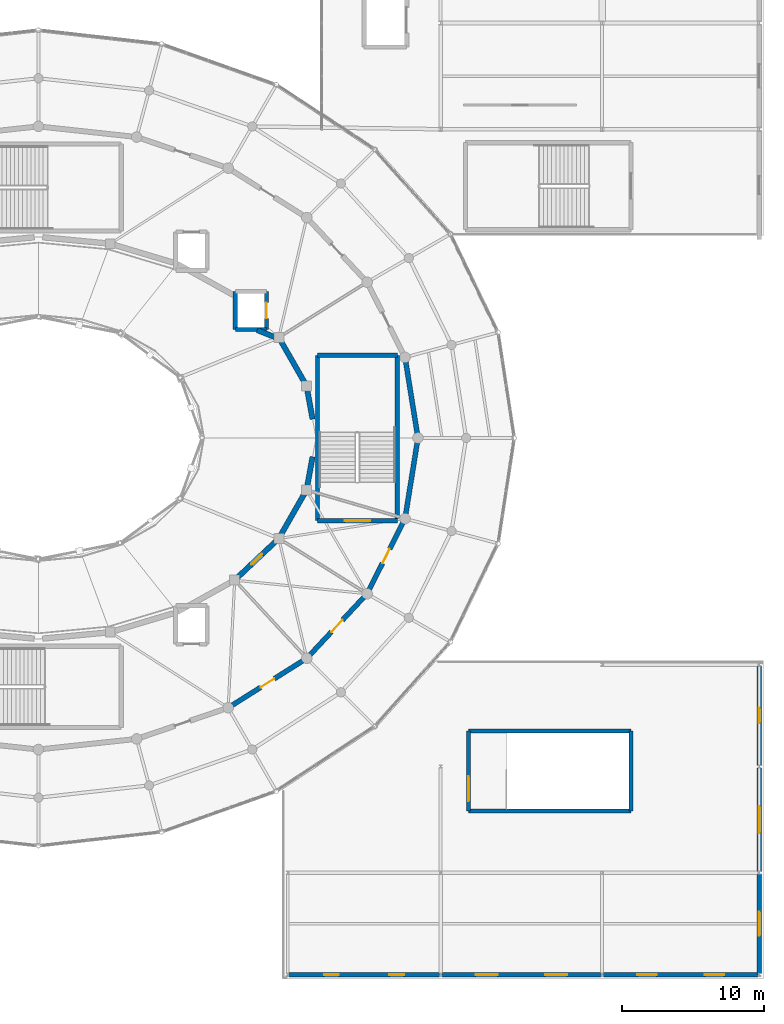
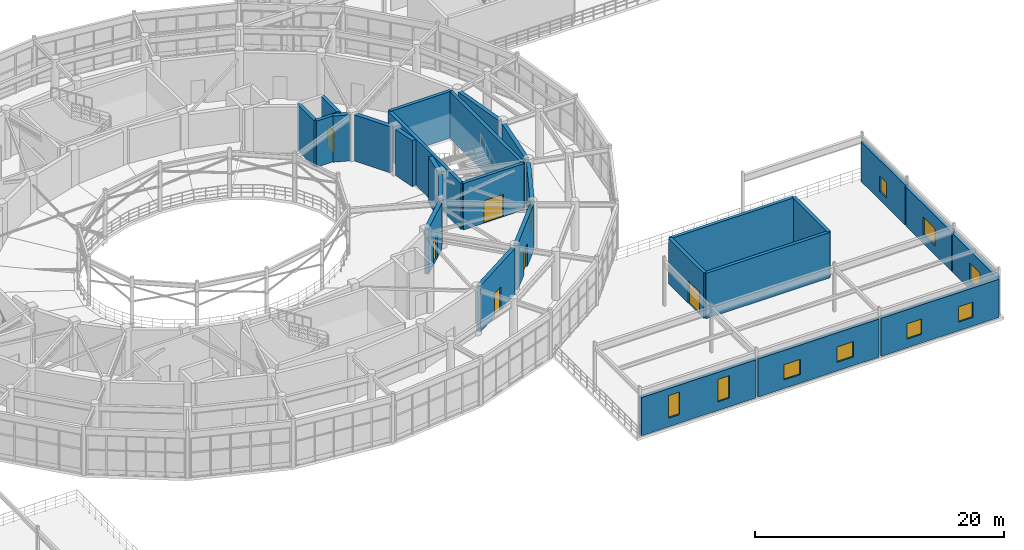
# One storey, part 111 of 144: 28 walls, 9 windows, 7 doors, 16 openings.
"""IFC4 building model written with IfcOpenShell, lengths in metres."""

from ifc_helpers import new_model, si_unit, direction, frame, frame_2d, origin, place, context, subcontext, project, spatial, rectangle, extrude, material, layer, layer_set, type_object, element, fill, save


model = new_model("IFC4")

# Units and contexts
model_context = context("Model", 3, precision=1e-05, world=origin(), true_north=direction((0.0, 1.0)))
body_context = subcontext(model_context, "Body", "Model", "MODEL_VIEW")
ifc_project = project(units=[si_unit("LENGTHUNIT", "METRE"), si_unit("AREAUNIT", "SQUARE_METRE"), si_unit("VOLUMEUNIT", "CUBIC_METRE"), si_unit("PLANEANGLEUNIT", "RADIAN"), si_unit("MASSUNIT", "GRAM", prefix="KILO")], contexts=[model_context])

# Site, building, storey
site_placement = place(None, origin())
site = spatial("IfcSite", under=ifc_project, at=site_placement, CompositionType="ELEMENT")
building_placement = place(site_placement, origin())
building = spatial("IfcBuilding", under=site, at=building_placement, Name="Cinderbank Siding Concert Hall", CompositionType="ELEMENT")
storey_placement = place(building_placement, frame((0.0, 0.0, 5.39990234375)))
storey = spatial("IfcBuildingStorey", under=building, at=storey_placement, Name="L02", CompositionType="ELEMENT", Elevation=5.39990234375)

# Walls
ifc_material_1 = material(Name="Reinforced concrete AS 3600 N50 (50 MPa)", Category="concrete")
ifc_layer_1 = layer(ifc_material_1, 0.3798828125)
ifc_layer_set_1 = layer_set([ifc_layer_1], Name="Reinforced concrete AS 3600 N50 (50 MPa)")
wall_type_1 = type_object("IfcWallType", Name="WL-01 Structural Wall 380mm", PredefinedType="SOLIDWALL", material=ifc_layer_set_1)
wall_1_placement = place(storey_placement, frame((141.358642578125, 45.328125, 0.0), z_axis=(0.0, 0.0, 1.0), x_axis=(-0.178762697271, 0.983892218723, 0.0)))
element("IfcWall", 1, at=wall_1_placement, inside=storey, type_object=wall_type_1, Name="L02 Structural Wall SW-E1-L02-01", PredefinedType="SOLIDWALL", context=body_context, shape_type="SweptSolid", body=[
    extrude(rectangle(XDim=2.1005859375, YDim=0.3798828125, at=frame_2d((1.05029296875, 0.0))), origin(), (0.0, 0.0, 1.0), 4.52001953125),
])
wall_2_placement = place(storey_placement, frame((140.79052734375, 47.922607421875, 0.0), z_axis=(0.0, 0.0, 1.0), x_axis=(-0.496318106012, 0.868140736082, 0.0)))
element("IfcWall", 2, at=wall_2_placement, inside=storey, type_object=wall_type_1, Name="L02 Structural Wall SW-E1-L02-02", PredefinedType="SOLIDWALL", context=body_context, shape_type="SweptSolid", body=[
    extrude(rectangle(XDim=3.375, YDim=0.3798828125, at=frame_2d((1.6875, 0.0))), origin(), (0.0, 0.0, 1.0), 4.52001953125),
])
wall_3_placement = place(storey_placement, frame((138.75, 51.10009765625, 0.0), z_axis=(0.0, 0.0, 1.0), x_axis=(-0.928476690885, 0.371390676354, 0.0)))
element("IfcWall", 3, at=wall_3_placement, inside=storey, type_object=wall_type_1, Name="L02 Structural Wall SW-E1-L02-03", PredefinedType="SOLIDWALL", context=body_context, shape_type="SweptSolid", body=[
    extrude(rectangle(XDim=1.400146484375, YDim=0.3798828125, at=frame_2d((0.7001953125, 0.0))), origin(), (0.0, 0.0, 1.0), 4.52001953125),
])

# Wall, opening, door
wall_4_placement = place(storey_placement, frame((136.06640625, 34.15478515625, 0.0), z_axis=(0.0, 0.0, 1.0), x_axis=(0.727127996206, 0.686501913423, 0.0)))
wall_4 = element("IfcWall", 4, at=wall_4_placement, inside=storey, type_object=wall_type_1, Name="L02 Structural Wall SW-E1-L02-22", PredefinedType="SOLIDWALL", context=body_context, shape_type="SweptSolid", body=[
    extrude(rectangle(XDim=3.7138671875, YDim=0.3798828125, at=frame_2d((1.85693359375, 0.0))), origin(), (0.0, 0.0, 1.0), 4.52001953125),
])
opening_1_placement = place(wall_4_placement, frame((1.326904296875, 0.0, 0.0)))
opening_1 = element("IfcOpeningElement", 5, at=opening_1_placement, cuts=wall_4, Name="Opening D-18", PredefinedType="OPENING", context=body_context, shape_type="SweptSolid", body=[
    extrude(rectangle(XDim=1.06005859375, YDim=2.239990234375, at=frame_2d((0.530029296875, 1.1201171875))), frame((0.0, 0.201904296875, 0.0), z_axis=(0.0, -1.0, 0.0), x_axis=(1.0, 0.0, 0.0)), (0.0, 0.0, 1.0), 0.40380859375),
])
ifc_material_2 = material(Name="Solid-core spotted gum acoustic timber", Category="wood")
door_type_1 = type_object("IfcDoorType", Name="D-18 Interior Door 1060x2240", OperationType="NOTDEFINED", PredefinedType="DOOR", material=ifc_material_2)
door_1_placement = place(opening_1_placement, origin())
door_1 = element("IfcDoor", 6, at=door_1_placement, inside=storey, type_object=door_type_1, Name="L02 Auditorium Sound-Lock Door L02-D131", OperationType="SINGLE_SWING_RIGHT", OverallHeight=2.239990234375, OverallWidth=1.06005859375, PredefinedType="DOOR", context=body_context, shape_type="SweptSolid", body=[
    extrude(rectangle(XDim=1.06005859375, YDim=2.239990234375, at=frame_2d((0.530029296875, 1.1201171875))), frame((0.0, 0.02490234375, 0.0), z_axis=(0.0, -1.0, 0.0), x_axis=(1.0, 0.0, 0.0)), (0.0, 0.0, 1.0), 0.050048828125),
])
fill(opening_1, door_1)

# Walls
wall_5_placement = place(storey_placement, frame((139.115478515625, 37.1474609375, 0.0), z_axis=(0.0, 0.0, 1.0), x_axis=(0.496318106012, 0.868140736082, 0.0)))
element("IfcWall", 7, at=wall_5_placement, inside=storey, type_object=wall_type_1, Name="L02 Structural Wall SW-E1-L02-23", PredefinedType="SOLIDWALL", context=body_context, shape_type="SweptSolid", body=[
    extrude(rectangle(XDim=3.375, YDim=0.3798828125, at=frame_2d((1.6875, 0.0))), origin(), (0.0, 0.0, 1.0), 4.52001953125),
])
wall_6_placement = place(storey_placement, frame((140.983154296875, 40.605224609375, 0.0), z_axis=(0.0, 0.0, 1.0), x_axis=(0.178762697271, 0.983892218723, 0.0)))
element("IfcWall", 8, at=wall_6_placement, inside=storey, type_object=wall_type_1, Name="L02 Structural Wall SW-E1-L02-24", PredefinedType="SOLIDWALL", context=body_context, shape_type="SweptSolid", body=[
    extrude(rectangle(XDim=2.1005859375, YDim=0.3798828125, at=frame_2d((1.05029296875, 0.0))), origin(), (0.0, 0.0, 1.0), 4.52001953125),
])
ifc_layer_2 = layer(ifc_material_1, 0.35009765625)
ifc_layer_set_2 = layer_set([ifc_layer_2], Name="Reinforced concrete AS 3600 N50 (50 MPa)")
wall_type_2 = type_object("IfcWallType", Name="WL-02 Structural Wall 350mm", PredefinedType="SHEAR", material=ifc_layer_set_2)
wall_7_placement = place(storey_placement, frame((148.7509765625, 44.30615234375, 0.0), z_axis=(0.0, 0.0, 1.0), x_axis=(-0.158388253677, 0.98737690934, 0.0)))
element("IfcWall", 9, at=wall_7_placement, inside=storey, type_object=wall_type_2, Name="L02 Structural Wall SW-E2-L02-01", PredefinedType="SHEAR", context=body_context, shape_type="SweptSolid", body=[
    extrude(rectangle(XDim=5.146728515625, YDim=0.35009765625, at=frame_2d((2.5732421875, 0.0))), origin(), (0.0, 0.0, 1.0), 4.52001953125),
])

# Wall, opening, door
wall_8_placement = place(storey_placement, frame((135.662353515625, 25.112548828125, 0.0), z_axis=(0.0, 0.0, 1.0), x_axis=(0.846113390603, 0.53300293643, 0.0)))
wall_8 = element("IfcWall", 10, at=wall_8_placement, inside=storey, type_object=wall_type_2, Name="L02 Structural Wall SW-E2-L02-21", PredefinedType="SHEAR", context=body_context, shape_type="SweptSolid", body=[
    extrude(rectangle(XDim=5.93994140625, YDim=0.35009765625, at=frame_2d((2.969970703125, 0.0))), origin(), (0.0, 0.0, 1.0), 4.52001953125),
])
opening_2_placement = place(wall_8_placement, frame((2.409912109375, 0.0, 0.0)))
opening_2 = element("IfcOpeningElement", 11, at=opening_2_placement, cuts=wall_8, Name="Opening D-19", PredefinedType="OPENING", context=body_context, shape_type="SweptSolid", body=[
    extrude(rectangle(XDim=1.1201171875, YDim=2.260009765625, at=frame_2d((0.56005859375, 1.1298828125))), frame((0.0, 0.18701171875, 0.0), z_axis=(0.0, -1.0, 0.0), x_axis=(1.0, 0.0, 0.0)), (0.0, 0.0, 1.0), 0.3740234375),
])
door_type_2 = type_object("IfcDoorType", Name="D-19 Interior Door 1120x2260", OperationType="NOTDEFINED", PredefinedType="DOOR", material=ifc_material_2)
door_2_placement = place(opening_2_placement, origin())
door_2 = element("IfcDoor", 12, at=door_2_placement, inside=storey, type_object=door_type_2, Name="L02 Auditorium Sound-Lock Door L02-D139", OperationType="SINGLE_SWING_RIGHT", OverallHeight=2.260009765625, OverallWidth=1.1201171875, PredefinedType="DOOR", context=body_context, shape_type="SweptSolid", body=[
    extrude(rectangle(XDim=1.1201171875, YDim=2.260009765625, at=frame_2d((0.56005859375, 1.1298828125))), frame((0.0, 0.02490234375, 0.0), z_axis=(0.0, -1.0, 0.0), x_axis=(1.0, 0.0, 0.0)), (0.0, 0.0, 1.0), 0.050048828125),
])
fill(opening_2, door_2)

wall_9_placement = place(storey_placement, frame((141.162109375, 28.670166015625, 0.0), z_axis=(0.0, 0.0, 1.0), x_axis=(0.682886399388, 0.730524582427, 0.0)))
wall_9 = element("IfcWall", 13, at=wall_9_placement, inside=storey, type_object=wall_type_2, Name="L02 Structural Wall SW-E2-L02-22", PredefinedType="SHEAR", context=body_context, shape_type="SweptSolid", body=[
    extrude(rectangle(XDim=5.616943359375, YDim=0.35009765625, at=frame_2d((2.80859375, 0.0))), origin(), (0.0, 0.0, 1.0), 4.52001953125),
])
opening_3_placement = place(wall_9_placement, frame((2.248291015625, 0.0, 0.0)))
opening_3 = element("IfcOpeningElement", 14, at=opening_3_placement, cuts=wall_9, Name="Opening D-19", PredefinedType="OPENING", context=body_context, shape_type="SweptSolid", body=[
    extrude(rectangle(XDim=1.1201171875, YDim=2.260009765625, at=frame_2d((0.56005859375, 1.1298828125))), frame((0.0, 0.18701171875, 0.0), z_axis=(0.0, -1.0, 0.0), x_axis=(1.0, 0.0, 0.0)), (0.0, 0.0, 1.0), 0.3740234375),
])
door_3_placement = place(opening_3_placement, origin())
door_3 = element("IfcDoor", 15, at=door_3_placement, inside=storey, type_object=door_type_2, Name="L02 Auditorium Sound-Lock Door L02-D140", OperationType="SINGLE_SWING_LEFT", OverallHeight=2.260009765625, OverallWidth=1.1201171875, PredefinedType="DOOR", context=body_context, shape_type="SweptSolid", body=[
    extrude(rectangle(XDim=1.1201171875, YDim=2.260009765625, at=frame_2d((0.56005859375, 1.1298828125))), frame((0.0, 0.02490234375, 0.0), z_axis=(0.0, -1.0, 0.0), x_axis=(1.0, 0.0, 0.0)), (0.0, 0.0, 1.0), 0.050048828125),
])
fill(opening_3, door_3)

wall_10_placement = place(storey_placement, frame((145.34912109375, 33.27685546875, 0.0), z_axis=(0.0, 0.0, 1.0), x_axis=(0.450512686904, 0.892770025784, 0.0)))
wall_10 = element("IfcWall", 16, at=wall_10_placement, inside=storey, type_object=wall_type_2, Name="L02 Structural Wall SW-E2-L02-23", PredefinedType="SHEAR", context=body_context, shape_type="SweptSolid", body=[
    extrude(rectangle(XDim=5.3232421875, YDim=0.35009765625, at=frame_2d((2.66162109375, 0.0))), origin(), (0.0, 0.0, 1.0), 4.52001953125),
])
opening_4_placement = place(wall_10_placement, frame((2.1015625, 0.0, 0.0)))
opening_4 = element("IfcOpeningElement", 17, at=opening_4_placement, cuts=wall_10, Name="Opening D-19", PredefinedType="OPENING", context=body_context, shape_type="SweptSolid", body=[
    extrude(rectangle(XDim=1.1201171875, YDim=2.260009765625, at=frame_2d((0.56005859375, 1.1298828125))), frame((0.0, 0.18701171875, 0.0), z_axis=(0.0, -1.0, 0.0), x_axis=(1.0, 0.0, 0.0)), (0.0, 0.0, 1.0), 0.3740234375),
])
door_4_placement = place(opening_4_placement, origin())
door_4 = element("IfcDoor", 18, at=door_4_placement, inside=storey, type_object=door_type_2, Name="L02 Auditorium Sound-Lock Door L02-D141", OperationType="SINGLE_SWING_RIGHT", OverallHeight=2.260009765625, OverallWidth=1.1201171875, PredefinedType="DOOR", context=body_context, shape_type="SweptSolid", body=[
    extrude(rectangle(XDim=1.1201171875, YDim=2.260009765625, at=frame_2d((0.56005859375, 1.1298828125))), frame((0.0, 0.02490234375, 0.0), z_axis=(0.0, -1.0, 0.0), x_axis=(1.0, 0.0, 0.0)), (0.0, 0.0, 1.0), 0.050048828125),
])
fill(opening_4, door_4)

# Wall
wall_11_placement = place(storey_placement, frame((147.935791015625, 38.612060546875, 0.0), z_axis=(0.0, 0.0, 1.0), x_axis=(0.158388253677, 0.98737690934, 0.0)))
element("IfcWall", 19, at=wall_11_placement, inside=storey, type_object=wall_type_2, Name="L02 Structural Wall SW-E2-L02-24", PredefinedType="SHEAR", context=body_context, shape_type="SweptSolid", body=[
    extrude(rectangle(XDim=5.146728515625, YDim=0.35009765625, at=frame_2d((2.5732421875, 0.0))), origin(), (0.0, 0.0, 1.0), 4.52001953125),
])

# Wall, opening, door
ifc_layer_3 = layer(ifc_material_1, 0.300048828125)
ifc_layer_set_3 = layer_set([ifc_layer_3], Name="Reinforced concrete AS 3600 N50 (50 MPa)")
wall_type_3 = type_object("IfcWallType", Name="WL-03 Structural Wall 300mm", PredefinedType="SHEAR", material=ifc_layer_set_3)
wall_12_placement = place(storey_placement, frame((147.340087890625, 38.159912109375, 0.0), z_axis=(0.0, 0.0, 1.0), x_axis=(-1.0, 0.0, 0.0)))
wall_12 = element("IfcWall", 20, at=wall_12_placement, inside=storey, type_object=wall_type_3, Name="L02 ST-03 Core Wall ENTRY", PredefinedType="SHEAR", context=body_context, shape_type="SweptSolid", body=[
    extrude(rectangle(XDim=5.64013671875, YDim=0.300048828125, at=frame_2d((2.820068359375, 0.0))), origin(), (0.0, 0.0, 1.0), 4.550048828125),
])
opening_5_placement = place(wall_12_placement, frame((1.919921875, 0.0, 0.0)))
opening_5 = element("IfcOpeningElement", 21, at=opening_5_placement, cuts=wall_12, Name="Opening D-05", PredefinedType="OPENING", context=body_context, shape_type="SweptSolid", body=[
    extrude(rectangle(XDim=1.800048828125, YDim=2.199951171875, at=frame_2d((0.89990234375, 1.10009765625))), frame((0.0, 0.162109375, 0.0), z_axis=(0.0, -1.0, 0.0), x_axis=(1.0, 0.0, 0.0)), (0.0, 0.0, 1.0), 0.323974609375),
])
ifc_material_3 = material(Name="Galvanised sheet steel acoustic fire door assembly", Category="steel")
door_type_3 = type_object("IfcDoorType", Name="D-05 Interior Door 1800x2200", OperationType="DOUBLE_DOOR_SINGLE_SWING", PredefinedType="DOOR", material=ifc_material_3)
door_5_placement = place(opening_5_placement, origin())
door_5 = element("IfcDoor", 22, at=door_5_placement, inside=storey, type_object=door_type_3, Name="L02 ST-03 Fire Stair Door L02-D017", OperationType="DOUBLE_DOOR_SINGLE_SWING", OverallHeight=2.199951171875, OverallWidth=1.800048828125, PredefinedType="DOOR", context=body_context, shape_type="SweptSolid", body=[
    extrude(rectangle(XDim=1.800048828125, YDim=2.199951171875, at=frame_2d((0.89990234375, 1.10009765625))), frame((0.0, 0.02490234375, 0.0), z_axis=(0.0, -1.0, 0.0), x_axis=(1.0, 0.0, 0.0)), (0.0, 0.0, 1.0), 0.050048828125),
])
fill(opening_5, door_5)

# Walls
wall_13_placement = place(storey_placement, frame((141.699951171875, 49.840087890625, 0.0), z_axis=(0.0, 0.0, 1.0), x_axis=(1.0, 0.0, 0.0)))
element("IfcWall", 23, at=wall_13_placement, inside=storey, type_object=wall_type_3, Name="L02 ST-03 Core Wall FAR", PredefinedType="SHEAR", context=body_context, shape_type="SweptSolid", body=[
    extrude(rectangle(XDim=5.64013671875, YDim=0.300048828125, at=frame_2d((2.820068359375, 0.0))), origin(), (0.0, 0.0, 1.0), 4.550048828125),
])
wall_14_placement = place(storey_placement, frame((147.340087890625, 49.840087890625, 0.0), z_axis=(0.0, 0.0, 1.0), x_axis=(0.0, -1.0, 0.0)))
element("IfcWall", 24, at=wall_14_placement, inside=storey, type_object=wall_type_3, Name="L02 ST-03 Core Wall SIDE1", PredefinedType="SHEAR", context=body_context, shape_type="SweptSolid", body=[
    extrude(rectangle(XDim=11.68017578125, YDim=0.300048828125, at=frame_2d((5.840087890625, 0.0))), origin(), (0.0, 0.0, 1.0), 4.550048828125),
])
wall_15_placement = place(storey_placement, frame((141.699951171875, 38.159912109375, 0.0), z_axis=(0.0, 0.0, 1.0), x_axis=(0.0, 1.0, 0.0)))
element("IfcWall", 25, at=wall_15_placement, inside=storey, type_object=wall_type_3, Name="L02 ST-03 Core Wall SIDE2", PredefinedType="SHEAR", context=body_context, shape_type="SweptSolid", body=[
    extrude(rectangle(XDim=11.68017578125, YDim=0.300048828125, at=frame_2d((5.840087890625, 0.0))), origin(), (0.0, 0.0, 1.0), 4.52001953125),
])

# Wall, opening, door
wall_16_placement = place(storey_placement, frame((152.360107421875, 17.659912109375, 0.0), z_axis=(0.0, 0.0, 1.0), x_axis=(0.0, 1.0, 0.0)))
wall_16 = element("IfcWall", 26, at=wall_16_placement, inside=storey, type_object=wall_type_3, Name="L02 ST-10 Core Wall ENTRY", PredefinedType="SHEAR", context=body_context, shape_type="SweptSolid", body=[
    extrude(rectangle(XDim=5.64013671875, YDim=0.300048828125, at=frame_2d((2.820068359375, 0.0))), origin(), (0.0, 0.0, 1.0), 4.4501953125),
])
opening_6_placement = place(wall_16_placement, frame((0.669921875, 0.0, 0.0)))
opening_6 = element("IfcOpeningElement", 27, at=opening_6_placement, cuts=wall_16, Name="Opening D-05", PredefinedType="OPENING", context=body_context, shape_type="SweptSolid", body=[
    extrude(rectangle(XDim=1.800048828125, YDim=2.199951171875, at=frame_2d((0.89990234375, 1.10009765625))), frame((0.0, 0.162109375, 0.0), z_axis=(0.0, -1.0, 0.0), x_axis=(1.0, 0.0, 0.0)), (0.0, 0.0, 1.0), 0.323974609375),
])
door_6_placement = place(opening_6_placement, origin())
door_6 = element("IfcDoor", 28, at=door_6_placement, inside=storey, type_object=door_type_3, Name="L02 ST-10 Fire Stair Door L02-D053", OperationType="DOUBLE_DOOR_SINGLE_SWING", OverallHeight=2.199951171875, OverallWidth=1.800048828125, PredefinedType="DOOR", context=body_context, shape_type="SweptSolid", body=[
    extrude(rectangle(XDim=1.800048828125, YDim=2.199951171875, at=frame_2d((0.89990234375, 1.10009765625))), frame((0.0, 0.02490234375, 0.0), z_axis=(0.0, -1.0, 0.0), x_axis=(1.0, 0.0, 0.0)), (0.0, 0.0, 1.0), 0.050048828125),
])
fill(opening_6, door_6)

# Walls
wall_17_placement = place(storey_placement, frame((163.840087890625, 23.300048828125, 0.0), z_axis=(0.0, 0.0, 1.0), x_axis=(0.0, -1.0, 0.0)))
element("IfcWall", 29, at=wall_17_placement, inside=storey, type_object=wall_type_3, Name="L02 ST-10 Core Wall FAR", PredefinedType="SHEAR", context=body_context, shape_type="SweptSolid", body=[
    extrude(rectangle(XDim=5.64013671875, YDim=0.300048828125, at=frame_2d((2.820068359375, 0.0))), origin(), (0.0, 0.0, 1.0), 4.4501953125),
])
for number, where, z_axis, x_axis, name in (
    (30, (163.840087890625, 17.659912109375, 0.0), (0.0, 0.0, 1.0), (-1.0, 0.0, 0.0), "L02 ST-10 Core Wall SIDE1"),
    (31, (152.360107421875, 23.300048828125, 0.0), (0.0, 0.0, 1.0), (1.0, 0.0, 0.0), "L02 ST-10 Core Wall SIDE2"),
):
    element("IfcWall", number, at=place(storey_placement, frame(where, z_axis=z_axis, x_axis=x_axis)), inside=storey, type_object=wall_type_3, Name=name, PredefinedType="SHEAR", context=body_context, shape_type="SweptSolid", body=[
        extrude(rectangle(XDim=11.47998046875, YDim=0.300048828125, at=frame_2d((5.739990234375, 0.0))), origin(), (0.0, 0.0, 1.0), 4.4501953125),
    ])
wall_18_placement = place(storey_placement, frame((138.10009765625, 51.64990234375, 0.0), z_axis=(0.0, 0.0, 1.0), x_axis=(-1.0, 0.0, 0.0)))
element("IfcWall", 32, at=wall_18_placement, inside=storey, type_object=wall_type_3, Name="L02 LF-03 Shaft Wall -Y", PredefinedType="SHEAR", context=body_context, shape_type="SweptSolid", body=[
    extrude(rectangle(XDim=2.2001953125, YDim=0.300048828125, at=frame_2d((1.10009765625, 0.0))), origin(), (0.0, 0.0, 1.0), 4.52001953125),
])

# Wall, opening, door
wall_19_placement = place(storey_placement, frame((138.10009765625, 54.35009765625, 0.0), z_axis=(0.0, 0.0, 1.0), x_axis=(0.0, -1.0, 0.0)))
wall_19 = element("IfcWall", 33, at=wall_19_placement, inside=storey, type_object=wall_type_3, Name="L02 LF-03 Shaft Wall +X", PredefinedType="SHEAR", context=body_context, shape_type="SweptSolid", body=[
    extrude(rectangle(XDim=2.7001953125, YDim=0.300048828125, at=frame_2d((1.35009765625, 0.0))), origin(), (0.0, 0.0, 1.0), 4.52001953125),
])
opening_7_placement = place(wall_19_placement, frame((0.800048828125, 0.0, 0.0)))
opening_7 = element("IfcOpeningElement", 34, at=opening_7_placement, cuts=wall_19, Name="Opening LD-01", PredefinedType="OPENING", context=body_context, shape_type="SweptSolid", body=[
    extrude(rectangle(XDim=1.10009765625, YDim=2.14990234375, at=frame_2d((0.550048828125, 1.074951171875))), frame((0.0, 0.162109375, 0.0), z_axis=(0.0, -1.0, 0.0), x_axis=(1.0, 0.0, 0.0)), (0.0, 0.0, 1.0), 0.323974609375),
])
door_type_4 = type_object("IfcDoorType", Name="LD-01 Interior Door 1100x2150", OperationType="DOUBLE_DOOR_SLIDING", PredefinedType="DOOR", material=ifc_material_3)
door_7_placement = place(opening_7_placement, origin())
door_7 = element("IfcDoor", 35, at=door_7_placement, inside=storey, type_object=door_type_4, Name="L02 LF-03 Sliding Landing Door", OperationType="DOUBLE_DOOR_SLIDING", OverallHeight=2.14990234375, OverallWidth=1.10009765625, PredefinedType="DOOR", context=body_context, shape_type="SweptSolid", body=[
    extrude(rectangle(XDim=1.10009765625, YDim=2.14990234375, at=frame_2d((0.550048828125, 1.074951171875))), frame((0.0, 0.02490234375, 0.0), z_axis=(0.0, -1.0, 0.0), x_axis=(1.0, 0.0, 0.0)), (0.0, 0.0, 1.0), 0.050048828125),
])
fill(opening_7, door_7)

# Wall
wall_20_placement = place(storey_placement, frame((135.89990234375, 51.64990234375, 0.0), z_axis=(0.0, 0.0, 1.0), x_axis=(0.0, 1.0, 0.0)))
element("IfcWall", 36, at=wall_20_placement, inside=storey, type_object=wall_type_3, Name="L02 LF-03 Shaft Wall -X", PredefinedType="SHEAR", context=body_context, shape_type="SweptSolid", body=[
    extrude(rectangle(XDim=2.7001953125, YDim=0.300048828125, at=frame_2d((1.35009765625, 0.0))), origin(), (0.0, 0.0, 1.0), 4.52001953125),
])

# Wall, opening, window
ifc_material_4 = material(Name="Clinker clay brickwork masonry AS 3700 (20 MPa)", Category="masonry")
ifc_layer_4 = layer(ifc_material_4, 0.340087890625)
ifc_layer_set_4 = layer_set([ifc_layer_4], Name="Clinker clay brickwork masonry AS 3700 (20 MPa)")
wall_type_4 = type_object("IfcWallType", Name="WL-07 Exterior Wall 340mm", PredefinedType="STANDARD", material=ifc_layer_set_4)
wall_21_placement = place(storey_placement, frame((172.89990234375, 13.21240234375, 0.0), z_axis=(0.0, 0.0, 1.0), x_axis=(0.0, -1.0, 0.0)))
wall_21 = element("IfcWall", 37, at=wall_21_placement, inside=storey, type_object=wall_type_4, Name="L02 Facade Wall EW-SE-E0-L02", PredefinedType="STANDARD", context=body_context, shape_type="SweptSolid", body=[
    extrude(rectangle(XDim=7.02490234375, YDim=0.340087890625, at=frame_2d((3.512451171875, 0.0))), origin(), (0.0, 0.0, 1.0), 3.8349609375),
])
opening_8_placement = place(wall_21_placement, frame((2.652587890625, 0.0, 0.85009765625)))
opening_8 = element("IfcOpeningElement", 38, at=opening_8_placement, cuts=wall_21, Name="Opening WN-23", PredefinedType="OPENING", context=body_context, shape_type="SweptSolid", body=[
    extrude(rectangle(XDim=1.719970703125, YDim=1.75, at=frame_2d((0.85986328125, 0.875))), frame((0.0, 0.18212890625, 0.0), z_axis=(0.0, -1.0, 0.0), x_axis=(1.0, 0.0, 0.0)), (0.0, 0.0, 1.0), 0.364013671875),
])
ifc_material_5 = material(Name="Double-glazed laminated acoustic glass", Category="glass")
window_type_1 = type_object("IfcWindowType", Name="WN-23 Acoustic Casement Window 1720x1750", PartitioningType="DOUBLE_PANEL_VERTICAL", PredefinedType="WINDOW", material=ifc_material_5)
window_1_placement = place(opening_8_placement, origin())
window_1 = element("IfcWindow", 39, at=window_1_placement, inside=storey, type_object=window_type_1, Name="L02 Facade Window #191", OverallHeight=1.75, OverallWidth=1.719970703125, PartitioningType="DOUBLE_PANEL_VERTICAL", PredefinedType="WINDOW", context=body_context, shape_type="SweptSolid", body=[
    extrude(rectangle(XDim=1.719970703125, YDim=1.75, at=frame_2d((0.85986328125, 0.875))), frame((0.0, 0.030029296875, 0.0), z_axis=(0.0, -1.0, 0.0), x_axis=(1.0, 0.0, 0.0)), (0.0, 0.0, 1.0), 0.06005859375),
])
fill(opening_8, window_1)

wall_22_placement = place(storey_placement, frame((172.89990234375, 20.71240234375, 0.0), z_axis=(0.0, 0.0, 1.0), x_axis=(0.0, -1.0, 0.0)))
wall_22 = element("IfcWall", 40, at=wall_22_placement, inside=storey, type_object=wall_type_4, Name="L02 Facade Wall EW-SE-E1-L02", PredefinedType="STANDARD", context=body_context, shape_type="SweptSolid", body=[
    extrude(rectangle(XDim=7.324951171875, YDim=0.340087890625, at=frame_2d((3.66259765625, 0.0))), origin(), (0.0, 0.0, 1.0), 3.8349609375),
])
opening_9_placement = place(wall_22_placement, frame((2.702392578125, 0.0, 0.85009765625)))
opening_9 = element("IfcOpeningElement", 41, at=opening_9_placement, cuts=wall_22, Name="Opening WN-24", PredefinedType="OPENING", context=body_context, shape_type="SweptSolid", body=[
    extrude(rectangle(XDim=1.919921875, YDim=1.75, at=frame_2d((0.9599609375, 0.875))), frame((0.0, 0.18212890625, 0.0), z_axis=(0.0, -1.0, 0.0), x_axis=(1.0, 0.0, 0.0)), (0.0, 0.0, 1.0), 0.364013671875),
])
window_type_2 = type_object("IfcWindowType", Name="WN-24 Acoustic Casement Window 1920x1750", PartitioningType="DOUBLE_PANEL_VERTICAL", PredefinedType="WINDOW", material=ifc_material_5)
window_2_placement = place(opening_9_placement, origin())
window_2 = element("IfcWindow", 42, at=window_2_placement, inside=storey, type_object=window_type_2, Name="L02 Facade Window #192", OverallHeight=1.75, OverallWidth=1.919921875, PartitioningType="DOUBLE_PANEL_VERTICAL", PredefinedType="WINDOW", context=body_context, shape_type="SweptSolid", body=[
    extrude(rectangle(XDim=1.919921875, YDim=1.75, at=frame_2d((0.9599609375, 0.875))), frame((0.0, 0.030029296875, 0.0), z_axis=(0.0, -1.0, 0.0), x_axis=(1.0, 0.0, 0.0)), (0.0, 0.0, 1.0), 0.06005859375),
])
fill(opening_9, window_2)

wall_23_placement = place(storey_placement, frame((172.89990234375, 27.91259765625, 0.0), z_axis=(0.0, 0.0, 1.0), x_axis=(0.0, -1.0, 0.0)))
wall_23 = element("IfcWall", 43, at=wall_23_placement, inside=storey, type_object=wall_type_4, Name="L02 Facade Wall EW-SE-E2-L02", PredefinedType="STANDARD", context=body_context, shape_type="SweptSolid", body=[
    extrude(rectangle(XDim=7.025146484375, YDim=0.340087890625, at=frame_2d((3.5126953125, 0.0))), origin(), (0.0, 0.0, 1.0), 3.908935546875),
])
opening_10_placement = place(wall_23_placement, frame((2.972412109375, 0.0, 0.85009765625)))
opening_10 = element("IfcOpeningElement", 44, at=opening_10_placement, cuts=wall_23, Name="Opening WN-26", PredefinedType="OPENING", context=body_context, shape_type="SweptSolid", body=[
    extrude(rectangle(XDim=1.080078125, YDim=1.5, at=frame_2d((0.5400390625, 0.75))), frame((0.0, 0.18212890625, 0.0), z_axis=(0.0, -1.0, 0.0), x_axis=(1.0, 0.0, 0.0)), (0.0, 0.0, 1.0), 0.364013671875),
])
window_type_3 = type_object("IfcWindowType", Name="WN-26 Acoustic Casement Window 1080x1500", PartitioningType="DOUBLE_PANEL_VERTICAL", PredefinedType="WINDOW", material=ifc_material_5)
window_3_placement = place(opening_10_placement, origin())
window_3 = element("IfcWindow", 45, at=window_3_placement, inside=storey, type_object=window_type_3, Name="L02 Facade Window #194", OverallHeight=1.5, OverallWidth=1.080078125, PartitioningType="DOUBLE_PANEL_VERTICAL", PredefinedType="WINDOW", context=body_context, shape_type="SweptSolid", body=[
    extrude(rectangle(XDim=1.080078125, YDim=1.5, at=frame_2d((0.5400390625, 0.75))), frame((0.0, 0.030029296875, 0.0), z_axis=(0.0, -1.0, 0.0), x_axis=(1.0, 0.0, 0.0)), (0.0, 0.0, 1.0), 0.06005859375),
])
fill(opening_10, window_3)

# Wall, openings, windows
wall_24_placement = place(storey_placement, frame((172.8125, 6.10009765625, 0.0), z_axis=(0.0, 0.0, 1.0), x_axis=(-1.0, 0.0, 0.0)))
wall_24 = element("IfcWall", 46, at=wall_24_placement, inside=storey, type_object=wall_type_4, Name="L02 Facade Wall EW-SE-FCR-L02", PredefinedType="STANDARD", context=body_context, shape_type="SweptSolid", body=[
    extrude(rectangle(XDim=10.925048828125, YDim=0.340087890625, at=frame_2d((5.46240234375, 0.0))), origin(), (0.0, 0.0, 1.0), 3.737060546875),
])
opening_11_placement = place(wall_24_placement, frame((2.401123046875, 0.0, 0.85009765625)))
opening_11 = element("IfcOpeningElement", 47, at=opening_11_placement, cuts=wall_24, Name="Opening WN-28", PredefinedType="OPENING", context=body_context, shape_type="SweptSolid", body=[
    extrude(rectangle(XDim=1.360107421875, YDim=1.5, at=frame_2d((0.68017578125, 0.75))), frame((0.0, 0.18212890625, 0.0), z_axis=(0.0, -1.0, 0.0), x_axis=(1.0, 0.0, 0.0)), (0.0, 0.0, 1.0), 0.364013671875),
])
opening_12_placement = place(wall_24_placement, frame((7.163818359375, 0.0, 0.85009765625)))
opening_12 = element("IfcOpeningElement", 48, at=opening_12_placement, cuts=wall_24, Name="Opening WN-28", PredefinedType="OPENING", context=body_context, shape_type="SweptSolid", body=[
    extrude(rectangle(XDim=1.360107421875, YDim=1.5, at=frame_2d((0.68017578125, 0.75))), frame((0.0, 0.18212890625, 0.0), z_axis=(0.0, -1.0, 0.0), x_axis=(1.0, 0.0, 0.0)), (0.0, 0.0, 1.0), 0.364013671875),
])
window_type_4 = type_object("IfcWindowType", Name="WN-28 Acoustic Casement Window 1360x1500", PartitioningType="DOUBLE_PANEL_VERTICAL", PredefinedType="WINDOW", material=ifc_material_5)
window_4_placement = place(opening_11_placement, origin())
window_4 = element("IfcWindow", 49, at=window_4_placement, inside=storey, type_object=window_type_4, Name="L02 Facade Window #195", OverallHeight=1.5, OverallWidth=1.360107421875, PartitioningType="DOUBLE_PANEL_VERTICAL", PredefinedType="WINDOW", context=body_context, shape_type="SweptSolid", body=[
    extrude(rectangle(XDim=1.360107421875, YDim=1.5, at=frame_2d((0.68017578125, 0.75))), frame((0.0, 0.030029296875, 0.0), z_axis=(0.0, -1.0, 0.0), x_axis=(1.0, 0.0, 0.0)), (0.0, 0.0, 1.0), 0.06005859375),
])
fill(opening_11, window_4)
window_5_placement = place(opening_12_placement, origin())
window_5 = element("IfcWindow", 50, at=window_5_placement, inside=storey, type_object=window_type_4, Name="L02 Facade Window #196", OverallHeight=1.5, OverallWidth=1.360107421875, PartitioningType="DOUBLE_PANEL_VERTICAL", PredefinedType="WINDOW", context=body_context, shape_type="SweptSolid", body=[
    extrude(rectangle(XDim=1.360107421875, YDim=1.5, at=frame_2d((0.68017578125, 0.75))), frame((0.0, 0.030029296875, 0.0), z_axis=(0.0, -1.0, 0.0), x_axis=(1.0, 0.0, 0.0)), (0.0, 0.0, 1.0), 0.06005859375),
])
fill(opening_12, window_5)

wall_25_placement = place(storey_placement, frame((161.71240234375, 6.10009765625, 0.0), z_axis=(0.0, 0.0, 1.0), x_axis=(-1.0, 0.0, 0.0)))
wall_25 = element("IfcWall", 51, at=wall_25_placement, inside=storey, type_object=wall_type_4, Name="L02 Facade Wall EW-SE-S1-L02", PredefinedType="STANDARD", context=body_context, shape_type="SweptSolid", body=[
    extrude(rectangle(XDim=11.224853515625, YDim=0.340087890625, at=frame_2d((5.6123046875, 0.0))), origin(), (0.0, 0.0, 1.0), 3.737060546875),
])
opening_13_placement = place(wall_25_placement, frame((2.381103515625, 0.0, 0.85009765625)))
opening_13 = element("IfcOpeningElement", 52, at=opening_13_placement, cuts=wall_25, Name="Opening WN-29", PredefinedType="OPENING", context=body_context, shape_type="SweptSolid", body=[
    extrude(rectangle(XDim=1.550048828125, YDim=1.5, at=frame_2d((0.77490234375, 0.75))), frame((0.0, 0.18212890625, 0.0), z_axis=(0.0, -1.0, 0.0), x_axis=(1.0, 0.0, 0.0)), (0.0, 0.0, 1.0), 0.364013671875),
])
opening_14_placement = place(wall_25_placement, frame((7.293701171875, 0.0, 0.85009765625)))
opening_14 = element("IfcOpeningElement", 53, at=opening_14_placement, cuts=wall_25, Name="Opening WN-29", PredefinedType="OPENING", context=body_context, shape_type="SweptSolid", body=[
    extrude(rectangle(XDim=1.550048828125, YDim=1.5, at=frame_2d((0.77490234375, 0.75))), frame((0.0, 0.18212890625, 0.0), z_axis=(0.0, -1.0, 0.0), x_axis=(1.0, 0.0, 0.0)), (0.0, 0.0, 1.0), 0.364013671875),
])
window_type_5 = type_object("IfcWindowType", Name="WN-29 Acoustic Casement Window 1550x1500", PartitioningType="DOUBLE_PANEL_VERTICAL", PredefinedType="WINDOW", material=ifc_material_5)
window_6_placement = place(opening_13_placement, origin())
window_6 = element("IfcWindow", 54, at=window_6_placement, inside=storey, type_object=window_type_5, Name="L02 Facade Window #197", OverallHeight=1.5, OverallWidth=1.550048828125, PartitioningType="DOUBLE_PANEL_VERTICAL", PredefinedType="WINDOW", context=body_context, shape_type="SweptSolid", body=[
    extrude(rectangle(XDim=1.550048828125, YDim=1.5, at=frame_2d((0.77490234375, 0.75))), frame((0.0, 0.030029296875, 0.0), z_axis=(0.0, -1.0, 0.0), x_axis=(1.0, 0.0, 0.0)), (0.0, 0.0, 1.0), 0.06005859375),
])
fill(opening_13, window_6)
window_7_placement = place(opening_14_placement, origin())
window_7 = element("IfcWindow", 55, at=window_7_placement, inside=storey, type_object=window_type_5, Name="L02 Facade Window #198", OverallHeight=1.5, OverallWidth=1.550048828125, PartitioningType="DOUBLE_PANEL_VERTICAL", PredefinedType="WINDOW", context=body_context, shape_type="SweptSolid", body=[
    extrude(rectangle(XDim=1.550048828125, YDim=1.5, at=frame_2d((0.77490234375, 0.75))), frame((0.0, 0.030029296875, 0.0), z_axis=(0.0, -1.0, 0.0), x_axis=(1.0, 0.0, 0.0)), (0.0, 0.0, 1.0), 0.06005859375),
])
fill(opening_14, window_7)

wall_26_placement = place(storey_placement, frame((150.3125, 6.10009765625, 0.0), z_axis=(0.0, 0.0, 1.0), x_axis=(-1.0, 0.0, 0.0)))
wall_26 = element("IfcWall", 56, at=wall_26_placement, inside=storey, type_object=wall_type_4, Name="L02 Facade Wall EW-SE-S2-L02", PredefinedType="STANDARD", context=body_context, shape_type="SweptSolid", body=[
    extrude(rectangle(XDim=10.625, YDim=0.340087890625, at=frame_2d((5.3125, 0.0))), origin(), (0.0, 0.0, 1.0), 3.737060546875),
])
opening_15_placement = place(wall_26_placement, frame((2.481201171875, 0.0, 0.85009765625)))
opening_15 = element("IfcOpeningElement", 57, at=opening_15_placement, cuts=wall_26, Name="Opening WN-03", PredefinedType="OPENING", context=body_context, shape_type="SweptSolid", body=[
    extrude(rectangle(XDim=1.050048828125, YDim=2.199951171875, at=frame_2d((0.52490234375, 1.10009765625))), frame((0.0, 0.18212890625, 0.0), z_axis=(0.0, -1.0, 0.0), x_axis=(1.0, 0.0, 0.0)), (0.0, 0.0, 1.0), 0.364013671875),
])
opening_16_placement = place(wall_26_placement, frame((7.09375, 0.0, 0.85009765625)))
opening_16 = element("IfcOpeningElement", 58, at=opening_16_placement, cuts=wall_26, Name="Opening WN-03", PredefinedType="OPENING", context=body_context, shape_type="SweptSolid", body=[
    extrude(rectangle(XDim=1.050048828125, YDim=2.199951171875, at=frame_2d((0.52490234375, 1.10009765625))), frame((0.0, 0.18212890625, 0.0), z_axis=(0.0, -1.0, 0.0), x_axis=(1.0, 0.0, 0.0)), (0.0, 0.0, 1.0), 0.364013671875),
])
window_type_6 = type_object("IfcWindowType", Name="WN-03 Acoustic Casement Window 1050x2200", PartitioningType="DOUBLE_PANEL_VERTICAL", PredefinedType="WINDOW", material=ifc_material_5)
window_8_placement = place(opening_15_placement, origin())
window_8 = element("IfcWindow", 59, at=window_8_placement, inside=storey, type_object=window_type_6, Name="L02 Facade Window #201", OverallHeight=2.199951171875, OverallWidth=1.050048828125, PartitioningType="DOUBLE_PANEL_VERTICAL", PredefinedType="WINDOW", context=body_context, shape_type="SweptSolid", body=[
    extrude(rectangle(XDim=1.050048828125, YDim=2.199951171875, at=frame_2d((0.52490234375, 1.10009765625))), frame((0.0, 0.030029296875, 0.0), z_axis=(0.0, -1.0, 0.0), x_axis=(1.0, 0.0, 0.0)), (0.0, 0.0, 1.0), 0.06005859375),
])
fill(opening_15, window_8)
window_9_placement = place(opening_16_placement, origin())
window_9 = element("IfcWindow", 60, at=window_9_placement, inside=storey, type_object=window_type_6, Name="L02 Facade Window #202", OverallHeight=2.199951171875, OverallWidth=1.050048828125, PartitioningType="DOUBLE_PANEL_VERTICAL", PredefinedType="WINDOW", context=body_context, shape_type="SweptSolid", body=[
    extrude(rectangle(XDim=1.050048828125, YDim=2.199951171875, at=frame_2d((0.52490234375, 1.10009765625))), frame((0.0, 0.030029296875, 0.0), z_axis=(0.0, -1.0, 0.0), x_axis=(1.0, 0.0, 0.0)), (0.0, 0.0, 1.0), 0.06005859375),
])
fill(opening_16, window_9)

save(model, "model.ifc")
